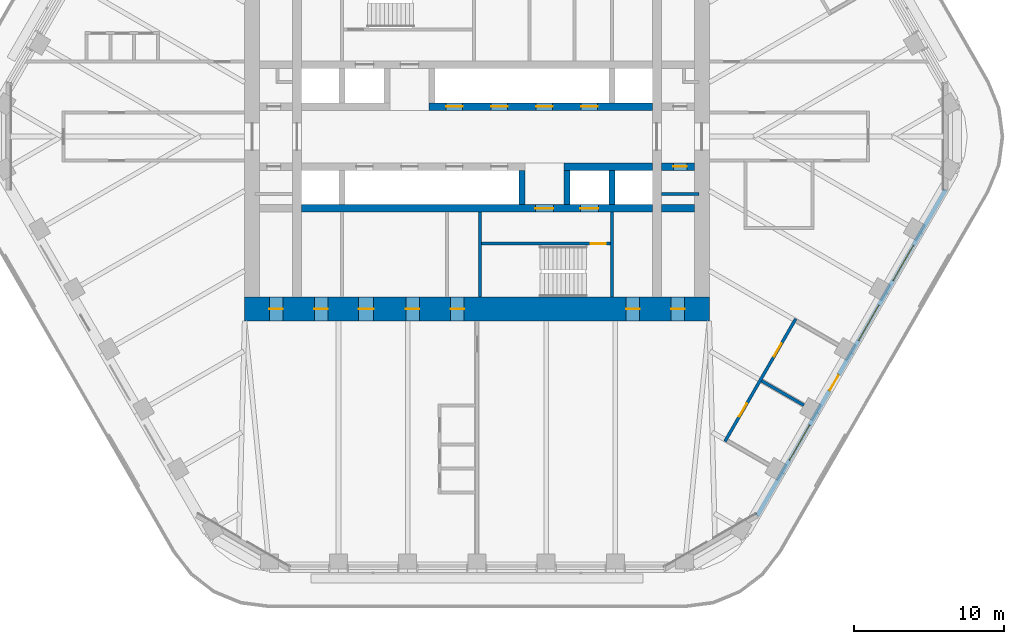
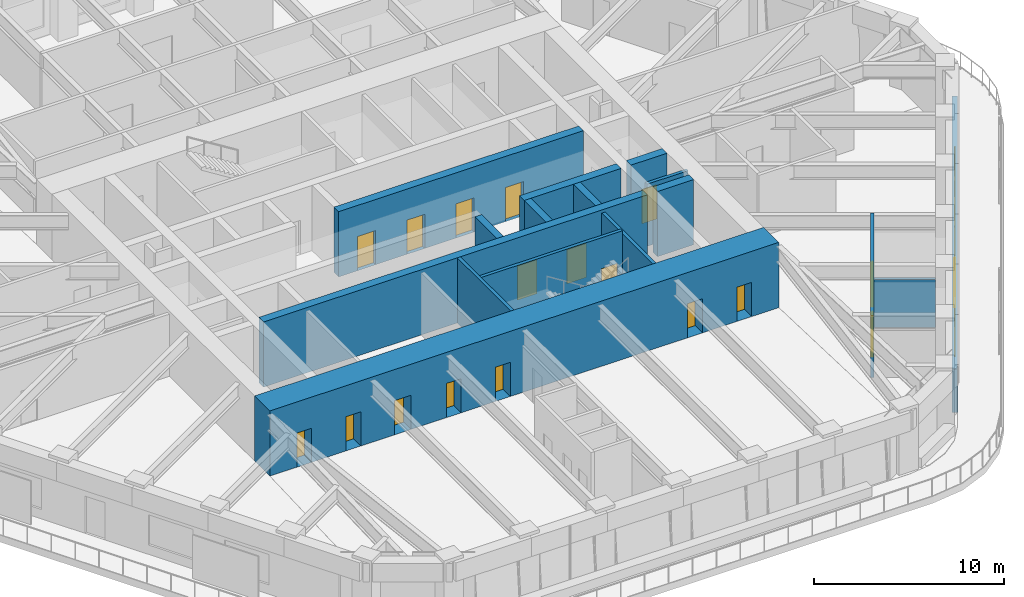
# One storey, part 15 of 20: 18 doors, 16 walls, 3 windows, 21 openings.
"""IFC4 building model written with IfcOpenShell, lengths in metres."""

from ifc_helpers import new_model, si_unit, direction, frame, frame_2d, origin, place, context, subcontext, project, spatial, rectangle, extrude, material, layer, layer_set, type_object, element, fill, save


model = new_model("IFC4")

# Units and contexts
model_context = context("Model", 3, precision=1e-05, world=origin(), true_north=direction((0.0, 1.0)))
body_context = subcontext(model_context, "Body", "Model", "MODEL_VIEW")
ifc_project = project(units=[si_unit("LENGTHUNIT", "METRE"), si_unit("AREAUNIT", "SQUARE_METRE"), si_unit("VOLUMEUNIT", "CUBIC_METRE"), si_unit("PLANEANGLEUNIT", "RADIAN"), si_unit("MASSUNIT", "GRAM", prefix="KILO")], contexts=[model_context])

# Site, building, storey
site_placement = place(None, origin())
site = spatial("IfcSite", under=ifc_project, at=site_placement, CompositionType="ELEMENT")
building_placement = place(site_placement, origin())
building = spatial("IfcBuilding", under=site, at=building_placement, Name="Tarfa Lantern Tower", CompositionType="ELEMENT")
storey_placement = place(building_placement, frame((0.0, 0.0, 270.10009765625)))
storey = spatial("IfcBuildingStorey", under=building, at=storey_placement, Name="L61", CompositionType="ELEMENT", Elevation=270.10009765625)

# Wall, openings, door, windows
ifc_material_1 = material(Name="Limestone cladding on blockwork", Category="masonry")
ifc_layer_1 = layer(ifc_material_1, 0.300048828125)
ifc_layer_set_1 = layer_set([ifc_layer_1], Name="EW1 STONE-CLAD WALL 300")
wall_type_1 = type_object("IfcWallType", Name="EW1 STONE-CLAD WALL 300", PredefinedType="SOLIDWALL", material=ifc_layer_set_1)
wall_1_placement = place(storey_placement, frame((18.70654296875, -25.299072265625, 0.0), z_axis=(0.0, 0.0, 1.0), x_axis=(0.500000442367, 0.866025148383, 0.0)))
wall_1 = element("IfcWall", 1, at=wall_1_placement, inside=storey, type_object=wall_type_1, Name="Stone wall SE", PredefinedType="SOLIDWALL", context=body_context, shape_type="SweptSolid", body=[
    extrude(rectangle(XDim=25.11279296875, YDim=0.300048828125, at=frame_2d((12.556396484375, 0.0))), origin(), (0.0, 0.0, 1.0), 2.7998046875),
])
opening_1_placement = place(wall_1_placement, frame((4.2783203125, 0.0, 0.60009765625)))
opening_1 = element("IfcOpeningElement", 2, at=opening_1_placement, cuts=wall_1, Name="Opening W14", PredefinedType="OPENING", context=body_context, shape_type="SweptSolid", body=[
    extrude(rectangle(XDim=2.699951171875, YDim=1.949951171875, at=frame_2d((1.35009765625, 0.97509765625))), frame((0.0, 0.159912109375, 0.0), z_axis=(0.0, -1.0, 0.0), x_axis=(1.0, 0.0, 0.0)), (0.0, 0.0, 1.0), 0.320068359375),
])
opening_2_placement = place(wall_1_placement, frame((9.64697265625, 0.0, 0.0)))
opening_2 = element("IfcOpeningElement", 3, at=opening_2_placement, cuts=wall_1, Name="Opening D51", PredefinedType="OPENING", context=body_context, shape_type="SweptSolid", body=[
    extrude(rectangle(XDim=1.199951171875, YDim=2.39990234375, at=frame_2d((0.60009765625, 1.199951171875))), frame((0.0, 0.159912109375, 0.0), z_axis=(0.0, -1.0, 0.0), x_axis=(1.0, 0.0, 0.0)), (0.0, 0.0, 1.0), 0.320068359375),
])
opening_3_placement = place(wall_1_placement, frame((13.515869140625, 0.0, 0.60009765625)))
opening_3 = element("IfcOpeningElement", 4, at=opening_3_placement, cuts=wall_1, Name="Opening W14", PredefinedType="OPENING", context=body_context, shape_type="SweptSolid", body=[
    extrude(rectangle(XDim=2.699951171875, YDim=1.949951171875, at=frame_2d((1.35009765625, 0.97509765625))), frame((0.0, 0.159912109375, 0.0), z_axis=(0.0, -1.0, 0.0), x_axis=(1.0, 0.0, 0.0)), (0.0, 0.0, 1.0), 0.320068359375),
])
opening_4_placement = place(wall_1_placement, frame((18.134521484375, 0.0, 0.60009765625)))
opening_4 = element("IfcOpeningElement", 5, at=opening_4_placement, cuts=wall_1, Name="Opening W14", PredefinedType="OPENING", context=body_context, shape_type="SweptSolid", body=[
    extrude(rectangle(XDim=2.699951171875, YDim=1.949951171875, at=frame_2d((1.35009765625, 0.97509765625))), frame((0.0, 0.159912109375, 0.0), z_axis=(0.0, -1.0, 0.0), x_axis=(1.0, 0.0, 0.0)), (0.0, 0.0, 1.0), 0.320068359375),
])
ifc_material_2 = material(Name="Aluminium framed glazed door", Category="aluminium")
door_type_1 = type_object("IfcDoorType", Name="BE3 BALCONY DOOR 1200x2400", OperationType="SINGLE_SWING_RIGHT", PredefinedType="DOOR", material=ifc_material_2)
door_1_placement = place(opening_2_placement, origin())
door_1 = element("IfcDoor", 6, at=door_1_placement, inside=storey, type_object=door_type_1, Name="Balcony door SE", OperationType="SINGLE_SWING_RIGHT", OverallHeight=2.39990234375, OverallWidth=1.199951171875, PredefinedType="DOOR", context=body_context, shape_type="SweptSolid", body=[
    extrude(rectangle(XDim=1.199951171875, YDim=2.39990234375, at=frame_2d((0.60009765625, 1.199951171875))), frame((0.0, 0.02490234375, 0.0), z_axis=(0.0, -1.0, 0.0), x_axis=(1.0, 0.0, 0.0)), (0.0, 0.0, 1.0), 0.050048828125),
])
fill(opening_2, door_1)
ifc_material_3 = material(Name="Aluminium frame, double glazed", Category="aluminium")
window_type = type_object("IfcWindowType", Name="W14 FULL-HEIGHT GLAZING 2700x1950", PartitioningType="SINGLE_PANEL", PredefinedType="WINDOW", material=ifc_material_3)
window_1_placement = place(opening_1_placement, origin())
window_1 = element("IfcWindow", 7, at=window_1_placement, inside=storey, type_object=window_type, Name="Window SE 2", OverallHeight=1.949951171875, OverallWidth=2.699951171875, PartitioningType="SINGLE_PANEL", PredefinedType="WINDOW", context=body_context, shape_type="SweptSolid", body=[
    extrude(rectangle(XDim=2.699951171875, YDim=1.949951171875, at=frame_2d((1.35009765625, 0.97509765625))), frame((0.0, 0.030029296875, 0.0), z_axis=(0.0, -1.0, 0.0), x_axis=(1.0, 0.0, 0.0)), (0.0, 0.0, 1.0), 0.06005859375),
])
fill(opening_1, window_1)
window_2_placement = place(opening_3_placement, origin())
window_2 = element("IfcWindow", 8, at=window_2_placement, inside=storey, type_object=window_type, Name="Window SE 4", OverallHeight=1.949951171875, OverallWidth=2.699951171875, PartitioningType="SINGLE_PANEL", PredefinedType="WINDOW", context=body_context, shape_type="SweptSolid", body=[
    extrude(rectangle(XDim=2.699951171875, YDim=1.949951171875, at=frame_2d((1.35009765625, 0.97509765625))), frame((0.0, 0.030029296875, 0.0), z_axis=(0.0, -1.0, 0.0), x_axis=(1.0, 0.0, 0.0)), (0.0, 0.0, 1.0), 0.06005859375),
])
fill(opening_3, window_2)
window_3_placement = place(opening_4_placement, origin())
window_3 = element("IfcWindow", 9, at=window_3_placement, inside=storey, type_object=window_type, Name="Window SE 5", OverallHeight=1.949951171875, OverallWidth=2.699951171875, PartitioningType="SINGLE_PANEL", PredefinedType="WINDOW", context=body_context, shape_type="SweptSolid", body=[
    extrude(rectangle(XDim=2.699951171875, YDim=1.949951171875, at=frame_2d((1.35009765625, 0.97509765625))), frame((0.0, 0.030029296875, 0.0), z_axis=(0.0, -1.0, 0.0), x_axis=(1.0, 0.0, 0.0)), (0.0, 0.0, 1.0), 0.06005859375),
])
fill(opening_4, window_3)

# Walls
ifc_material_4 = material(Name="Concrete blockwork", Category="masonry")
ifc_layer_2 = layer(ifc_material_4, 0.199951171875)
ifc_layer_set_2 = layer_set([ifc_layer_2], Name="IW1 BLOCKWORK PARTITION 200 EI 120")
wall_type_2 = type_object("IfcWallType", Name="IW1 BLOCKWORK PARTITION 200 EI 120", PredefinedType="PARTITIONING", material=ifc_layer_set_2)
wall_2_placement = place(storey_placement, frame((9.0, -5.050048828125, 0.0), z_axis=(0.0, 0.0, 1.0), x_axis=(0.0, -1.0, 0.0)))
element("IfcWall", 10, at=wall_2_placement, inside=storey, type_object=wall_type_2, Name="Core partition", PredefinedType="PARTITIONING", context=body_context, shape_type="SweptSolid", body=[
    extrude(rectangle(XDim=5.64990234375, YDim=0.199951171875, at=frame_2d((2.824951171875, 0.0))), origin(), (0.0, 0.0, 1.0), 4.0),
])
wall_3_placement = place(storey_placement, frame((14.800048828125, -3.85009765625, 0.0), z_axis=(0.0, 0.0, 1.0), x_axis=(-1.0, 0.0, 0.0)))
element("IfcWall", 11, at=wall_3_placement, inside=storey, type_object=wall_type_2, Name="Core partition", PredefinedType="PARTITIONING", context=body_context, shape_type="SweptSolid", body=[
    extrude(rectangle(XDim=2.5, YDim=0.199951171875, at=frame_2d((1.25, 0.0))), origin(), (0.0, 0.0, 1.0), 4.0),
])

# Wall, openings, doors
ifc_material_5 = material(Name="Gypsum board on steel studs", Category="steel")
ifc_layer_3 = layer(ifc_material_5, 0.2099609375)
ifc_layer_set_3 = layer_set([ifc_layer_3], Name="IW2 ACOUSTIC PARTITION 200")
wall_type_3 = type_object("IfcWallType", Name="IW2 ACOUSTIC PARTITION 200", PredefinedType="PARTITIONING", material=ifc_layer_set_3)
wall_4_placement = place(storey_placement, frame((16.548828125, -20.336669921875, 0.0), z_axis=(0.0, 0.0, 1.0), x_axis=(0.499989672313, 0.866031366395, 0.0)))
wall_4 = element("IfcWall", 12, at=wall_4_placement, inside=storey, type_object=wall_type_3, Name="Partition", PredefinedType="PARTITIONING", context=body_context, shape_type="SweptSolid", body=[
    extrude(rectangle(XDim=9.437744140625, YDim=0.199951171875, at=frame_2d((4.71875, 0.0))), origin(), (0.0, 0.0, 1.0), 4.0),
])
opening_5_placement = place(wall_4_placement, frame((1.909423828125, 0.0, 0.0)))
opening_5 = element("IfcOpeningElement", 13, at=opening_5_placement, cuts=wall_4, Name="Opening D31", PredefinedType="OPENING", context=body_context, shape_type="SweptSolid", body=[
    extrude(rectangle(XDim=1.0, YDim=2.199951171875, at=frame_2d((0.5, 1.10009765625))), frame((0.0, 0.10986328125, 0.0), z_axis=(0.0, -1.0, 0.0), x_axis=(1.0, 0.0, 0.0)), (0.0, 0.0, 1.0), 0.219970703125),
])
opening_6_placement = place(wall_4_placement, frame((6.5283203125, 0.0, 0.0)))
opening_6 = element("IfcOpeningElement", 14, at=opening_6_placement, cuts=wall_4, Name="Opening D32", PredefinedType="OPENING", context=body_context, shape_type="SweptSolid", body=[
    extrude(rectangle(XDim=1.0, YDim=2.199951171875, at=frame_2d((0.5, 1.10009765625))), frame((0.0, 0.10986328125, 0.0), z_axis=(0.0, -1.0, 0.0), x_axis=(1.0, 0.0, 0.0)), (0.0, 0.0, 1.0), 0.219970703125),
])
ifc_material_6 = material(Name="Timber door", Category="wood")
door_type_2 = type_object("IfcDoorType", Name="DR1 ROOM DOOR 1000x2200", OperationType="SINGLE_SWING_LEFT", PredefinedType="DOOR", material=ifc_material_6)
door_2_placement = place(opening_5_placement, frame((1.0, 0.0, 0.0), z_axis=(0.0, 0.0, 1.0), x_axis=(-1.0, 0.0, 0.0)))
door_2 = element("IfcDoor", 15, at=door_2_placement, inside=storey, type_object=door_type_2, Name="Office door", OperationType="SINGLE_SWING_LEFT", OverallHeight=2.199951171875, OverallWidth=1.0, PredefinedType="DOOR", context=body_context, shape_type="SweptSolid", body=[
    extrude(rectangle(XDim=1.0, YDim=2.199951171875, at=frame_2d((0.5, 1.10009765625))), frame((0.0, 0.02490234375, 0.0), z_axis=(0.0, -1.0, 0.0), x_axis=(1.0, 0.0, 0.0)), (0.0, 0.0, 1.0), 0.050048828125),
])
fill(opening_5, door_2)
door_3_placement = place(opening_6_placement, frame((1.0, 0.0, 0.0), z_axis=(0.0, 0.0, 1.0), x_axis=(-1.0, 0.0, 0.0)))
door_3 = element("IfcDoor", 16, at=door_3_placement, inside=storey, type_object=door_type_2, Name="Office door", OperationType="SINGLE_SWING_RIGHT", OverallHeight=2.199951171875, OverallWidth=1.0, PredefinedType="DOOR", context=body_context, shape_type="SweptSolid", body=[
    extrude(rectangle(XDim=1.0, YDim=2.199951171875, at=frame_2d((0.5, 1.10009765625))), frame((0.0, 0.02490234375, 0.0), z_axis=(0.0, -1.0, 0.0), x_axis=(1.0, 0.0, 0.0)), (0.0, 0.0, 1.0), 0.050048828125),
])
fill(opening_6, door_3)

# Walls
wall_5_placement = place(storey_placement, frame((18.994873046875, -16.300048828125, 0.0), z_axis=(0.0, 0.0, 1.0), x_axis=(0.866015446554, -0.500017246033, 0.0)))
element("IfcWall", 17, at=wall_5_placement, inside=storey, type_object=wall_type_3, Name="Partition", PredefinedType="PARTITIONING", context=body_context, shape_type="SweptSolid", body=[
    extrude(rectangle(XDim=3.25, YDim=0.199951171875, at=frame_2d((1.625, 0.0))), origin(), (0.0, 0.0, 1.0), 3.08154296875),
])
ifc_material_7 = material(Name="Concrete C80/95", Category="concrete")
ifc_layer_4 = layer(ifc_material_7, 0.199951171875)
ifc_layer_set_4 = layer_set([ifc_layer_4], Name="SW12 CORE WALL 200")
wall_type_4 = type_object("IfcWallType", Name="SW12 CORE WALL 200", PredefinedType="SHEAR", material=ifc_layer_set_4)
wall_6_placement = place(storey_placement, frame((0.199951171875, -5.050048828125, 0.0), z_axis=(0.0, 0.0, 1.0), x_axis=(0.0, -1.0, 0.0)))
element("IfcWall", 18, at=wall_6_placement, inside=storey, type_object=wall_type_4, Name="Core wall stair shaft S", PredefinedType="SHEAR", context=body_context, shape_type="SweptSolid", body=[
    extrude(rectangle(XDim=5.64990234375, YDim=0.199951171875, at=frame_2d((2.824951171875, 0.0))), origin(), (0.0, 0.0, 1.0), 4.199951171875),
])

# Wall, opening, door
wall_7_placement = place(storey_placement, frame((8.89990234375, -7.14990234375, 0.0), z_axis=(0.0, 0.0, 1.0), x_axis=(-1.0, 0.0, 0.0)))
wall_7 = element("IfcWall", 19, at=wall_7_placement, inside=storey, type_object=wall_type_4, Name="Core wall stair partition S", PredefinedType="SHEAR", context=body_context, shape_type="SweptSolid", body=[
    extrude(rectangle(XDim=8.599853515625, YDim=0.199951171875, at=frame_2d((4.2998046875, 0.0))), origin(), (0.0, 0.0, 1.0), 4.199951171875),
])
opening_7_placement = place(wall_7_placement, frame((0.300048828125, 0.0, 0.0)))
opening_7 = element("IfcOpeningElement", 20, at=opening_7_placement, cuts=wall_7, Name="Opening D24", PredefinedType="OPENING", context=body_context, shape_type="SweptSolid", body=[
    extrude(rectangle(XDim=1.0, YDim=2.199951171875, at=frame_2d((0.5, 1.10009765625))), frame((0.0, 0.10986328125, 0.0), z_axis=(0.0, -1.0, 0.0), x_axis=(1.0, 0.0, 0.0)), (0.0, 0.0, 1.0), 0.219970703125),
])
ifc_material_8 = material(Name="Steel fire door", Category="steel")
door_type_3 = type_object("IfcDoorType", Name="DF2 STAIR DOOR 1000x2200", OperationType="SINGLE_SWING_LEFT", PredefinedType="DOOR", material=ifc_material_8)
door_4_placement = place(opening_7_placement, origin())
door_4 = element("IfcDoor", 21, at=door_4_placement, inside=storey, type_object=door_type_3, Name="Stair door", OperationType="SINGLE_SWING_RIGHT", OverallHeight=2.199951171875, OverallWidth=1.0, PredefinedType="DOOR", context=body_context, shape_type="SweptSolid", body=[
    extrude(rectangle(XDim=1.0, YDim=2.199951171875, at=frame_2d((0.5, 1.10009765625))), frame((0.0, 0.02490234375, 0.0), z_axis=(0.0, -1.0, 0.0), x_axis=(1.0, 0.0, 0.0)), (0.0, 0.0, 1.0), 0.050048828125),
])
fill(opening_7, door_4)

# Wall, openings, doors
ifc_layer_5 = layer(ifc_material_7, 0.5)
ifc_layer_set_5 = layer_set([ifc_layer_5], Name="SW5 CORE WALL 500")
wall_type_5 = type_object("IfcWallType", Name="SW5 CORE WALL 500", PredefinedType="SHEAR", material=ifc_layer_set_5)
wall_8_placement = place(storey_placement, frame((-3.199951171875, 2.0, 0.0), z_axis=(0.0, 0.0, 1.0), x_axis=(1.0, 0.0, 0.0)))
wall_8 = element("IfcWall", 22, at=wall_8_placement, inside=storey, type_object=wall_type_5, Name="Core wall lobby east N", PredefinedType="SHEAR", context=body_context, shape_type="SweptSolid", body=[
    extrude(rectangle(XDim=14.89990234375, YDim=0.5, at=frame_2d((7.449951171875, 0.0))), origin(), (0.0, 0.0, 1.0), 4.199951171875),
])
opening_8_placement = place(wall_8_placement, frame((1.14990234375, 0.0, 0.0)))
opening_8 = element("IfcOpeningElement", 23, at=opening_8_placement, cuts=wall_8, Name="Opening LD03", PredefinedType="OPENING", context=body_context, shape_type="SweptSolid", body=[
    extrude(rectangle(XDim=1.10009765625, YDim=2.199951171875, at=frame_2d((0.550048828125, 1.10009765625))), frame((0.0, 0.260009765625, 0.0), z_axis=(0.0, -1.0, 0.0), x_axis=(1.0, 0.0, 0.0)), (0.0, 0.0, 1.0), 0.52001953125),
])
opening_9_placement = place(wall_8_placement, frame((4.14990234375, 0.0, 0.0)))
opening_9 = element("IfcOpeningElement", 24, at=opening_9_placement, cuts=wall_8, Name="Opening LD04", PredefinedType="OPENING", context=body_context, shape_type="SweptSolid", body=[
    extrude(rectangle(XDim=1.10009765625, YDim=2.199951171875, at=frame_2d((0.550048828125, 1.10009765625))), frame((0.0, 0.260009765625, 0.0), z_axis=(0.0, -1.0, 0.0), x_axis=(1.0, 0.0, 0.0)), (0.0, 0.0, 1.0), 0.52001953125),
])
opening_10_placement = place(wall_8_placement, frame((7.14990234375, 0.0, 0.0)))
opening_10 = element("IfcOpeningElement", 25, at=opening_10_placement, cuts=wall_8, Name="Opening LD05", PredefinedType="OPENING", context=body_context, shape_type="SweptSolid", body=[
    extrude(rectangle(XDim=1.10009765625, YDim=2.199951171875, at=frame_2d((0.550048828125, 1.10009765625))), frame((0.0, 0.260009765625, 0.0), z_axis=(0.0, -1.0, 0.0), x_axis=(1.0, 0.0, 0.0)), (0.0, 0.0, 1.0), 0.52001953125),
])
opening_11_placement = place(wall_8_placement, frame((10.14990234375, 0.0, 0.0)))
opening_11 = element("IfcOpeningElement", 26, at=opening_11_placement, cuts=wall_8, Name="Opening LD06", PredefinedType="OPENING", context=body_context, shape_type="SweptSolid", body=[
    extrude(rectangle(XDim=1.10009765625, YDim=2.199951171875, at=frame_2d((0.550048828125, 1.10009765625))), frame((0.0, 0.260009765625, 0.0), z_axis=(0.0, -1.0, 0.0), x_axis=(1.0, 0.0, 0.0)), (0.0, 0.0, 1.0), 0.52001953125),
])
ifc_material_9 = material(Name="Stainless steel lift door", Category="steel")
door_type_4 = type_object("IfcDoorType", Name="LD2 LIFT LANDING DOOR 1100x2200", OperationType="SLIDING_TO_LEFT", PredefinedType="DOOR", material=ifc_material_9)
door_5_placement = place(opening_8_placement, frame((1.10009765625, 0.0, 0.0), z_axis=(0.0, 0.0, 1.0), x_axis=(-1.0, 0.0, 0.0)))
door_5 = element("IfcDoor", 27, at=door_5_placement, inside=storey, type_object=door_type_4, Name="Landing door PC1", OperationType="SLIDING_TO_LEFT", OverallHeight=2.199951171875, OverallWidth=1.10009765625, PredefinedType="DOOR", context=body_context, shape_type="SweptSolid", body=[
    extrude(rectangle(XDim=1.10009765625, YDim=2.199951171875, at=frame_2d((0.550048828125, 1.10009765625))), frame((0.0, 0.02490234375, 0.0), z_axis=(0.0, -1.0, 0.0), x_axis=(1.0, 0.0, 0.0)), (0.0, 0.0, 1.0), 0.050048828125),
])
fill(opening_8, door_5)
door_6_placement = place(opening_9_placement, frame((1.10009765625, 0.0, 0.0), z_axis=(0.0, 0.0, 1.0), x_axis=(-1.0, 0.0, 0.0)))
door_6 = element("IfcDoor", 28, at=door_6_placement, inside=storey, type_object=door_type_4, Name="Landing door PC2", OperationType="SLIDING_TO_LEFT", OverallHeight=2.199951171875, OverallWidth=1.10009765625, PredefinedType="DOOR", context=body_context, shape_type="SweptSolid", body=[
    extrude(rectangle(XDim=1.10009765625, YDim=2.199951171875, at=frame_2d((0.550048828125, 1.10009765625))), frame((0.0, 0.02490234375, 0.0), z_axis=(0.0, -1.0, 0.0), x_axis=(1.0, 0.0, 0.0)), (0.0, 0.0, 1.0), 0.050048828125),
])
fill(opening_9, door_6)
door_7_placement = place(opening_10_placement, frame((1.10009765625, 0.0, 0.0), z_axis=(0.0, 0.0, 1.0), x_axis=(-1.0, 0.0, 0.0)))
door_7 = element("IfcDoor", 29, at=door_7_placement, inside=storey, type_object=door_type_4, Name="Landing door PC3", OperationType="SLIDING_TO_LEFT", OverallHeight=2.199951171875, OverallWidth=1.10009765625, PredefinedType="DOOR", context=body_context, shape_type="SweptSolid", body=[
    extrude(rectangle(XDim=1.10009765625, YDim=2.199951171875, at=frame_2d((0.550048828125, 1.10009765625))), frame((0.0, 0.02490234375, 0.0), z_axis=(0.0, -1.0, 0.0), x_axis=(1.0, 0.0, 0.0)), (0.0, 0.0, 1.0), 0.050048828125),
])
fill(opening_10, door_7)
door_8_placement = place(opening_11_placement, frame((1.10009765625, 0.0, 0.0), z_axis=(0.0, 0.0, 1.0), x_axis=(-1.0, 0.0, 0.0)))
door_8 = element("IfcDoor", 30, at=door_8_placement, inside=storey, type_object=door_type_4, Name="Landing door PC4", OperationType="SLIDING_TO_LEFT", OverallHeight=2.199951171875, OverallWidth=1.10009765625, PredefinedType="DOOR", context=body_context, shape_type="SweptSolid", body=[
    extrude(rectangle(XDim=1.10009765625, YDim=2.199951171875, at=frame_2d((0.550048828125, 1.10009765625))), frame((0.0, 0.02490234375, 0.0), z_axis=(0.0, -1.0, 0.0), x_axis=(1.0, 0.0, 0.0)), (0.0, 0.0, 1.0), 0.050048828125),
])
fill(opening_11, door_8)

# Wall, opening, door
wall_9_placement = place(storey_placement, frame((14.5, -2.0, 0.0), z_axis=(0.0, 0.0, 1.0), x_axis=(-1.0, 0.0, 0.0)))
wall_9 = element("IfcWall", 31, at=wall_9_placement, inside=storey, type_object=wall_type_5, Name="Core wall lobby west S", PredefinedType="SHEAR", context=body_context, shape_type="SweptSolid", body=[
    extrude(rectangle(XDim=2.199951171875, YDim=0.5, at=frame_2d((1.10009765625, 0.0))), origin(), (0.0, 0.0, 1.0), 4.199951171875),
])
opening_12_placement = place(wall_9_placement, frame((0.5, 0.0, 0.0)))
opening_12 = element("IfcOpeningElement", 32, at=opening_12_placement, cuts=wall_9, Name="Opening D16", PredefinedType="OPENING", context=body_context, shape_type="SweptSolid", body=[
    extrude(rectangle(XDim=0.89990234375, YDim=2.199951171875, at=frame_2d((0.449951171875, 1.10009765625))), frame((0.0, 0.260009765625, 0.0), z_axis=(0.0, -1.0, 0.0), x_axis=(1.0, 0.0, 0.0)), (0.0, 0.0, 1.0), 0.52001953125),
])
door_type_5 = type_object("IfcDoorType", Name="DF6 SERVICE ROOM DOOR 900x2200", OperationType="SINGLE_SWING_LEFT", PredefinedType="DOOR", material=ifc_material_8)
door_9_placement = place(opening_12_placement, origin())
door_9 = element("IfcDoor", 33, at=door_9_placement, inside=storey, type_object=door_type_5, Name="Service room door", OperationType="SINGLE_SWING_RIGHT", OverallHeight=2.199951171875, OverallWidth=0.89990234375, PredefinedType="DOOR", context=body_context, shape_type="SweptSolid", body=[
    extrude(rectangle(XDim=0.89990234375, YDim=2.199951171875, at=frame_2d((0.449951171875, 1.10009765625))), frame((0.0, 0.02490234375, 0.0), z_axis=(0.0, -1.0, 0.0), x_axis=(1.0, 0.0, 0.0)), (0.0, 0.0, 1.0), 0.050048828125),
])
fill(opening_12, door_9)

# Walls
wall_10_placement = place(storey_placement, frame((11.699951171875, -2.0, 0.0), z_axis=(0.0, 0.0, 1.0), x_axis=(-1.0, 0.0, 0.0)))
element("IfcWall", 34, at=wall_10_placement, inside=storey, type_object=wall_type_5, Name="Core wall lobby west S", PredefinedType="SHEAR", context=body_context, shape_type="SweptSolid", body=[
    extrude(rectangle(XDim=5.89990234375, YDim=0.5, at=frame_2d((2.949951171875, 0.0))), origin(), (0.0, 0.0, 1.0), 4.199951171875),
])
wall_11_placement = place(storey_placement, frame((14.5, -4.800048828125, 0.0), z_axis=(0.0, 0.0, 1.0), x_axis=(-1.0, 0.0, 0.0)))
element("IfcWall", 35, at=wall_11_placement, inside=storey, type_object=wall_type_5, Name="Core wall rear S", PredefinedType="SHEAR", context=body_context, shape_type="SweptSolid", body=[
    extrude(rectangle(XDim=2.199951171875, YDim=0.5, at=frame_2d((1.10009765625, 0.0))), origin(), (0.0, 0.0, 1.0), 4.199951171875),
])

# Wall, openings, doors
wall_12_placement = place(storey_placement, frame((11.699951171875, -4.800048828125, 0.0), z_axis=(0.0, 0.0, 1.0), x_axis=(-1.0, 0.0, 0.0)))
wall_12 = element("IfcWall", 36, at=wall_12_placement, inside=storey, type_object=wall_type_5, Name="Core wall rear S", PredefinedType="SHEAR", context=body_context, shape_type="SweptSolid", body=[
    extrude(rectangle(XDim=23.39990234375, YDim=0.5, at=frame_2d((11.699951171875, 0.0))), origin(), (0.0, 0.0, 1.0), 4.199951171875),
])
opening_13_placement = place(wall_12_placement, frame((6.60009765625, 0.0, 0.0)))
opening_13 = element("IfcOpeningElement", 37, at=opening_13_placement, cuts=wall_12, Name="Opening D10", PredefinedType="OPENING", context=body_context, shape_type="SweptSolid", body=[
    extrude(rectangle(XDim=1.199951171875, YDim=2.199951171875, at=frame_2d((0.60009765625, 1.10009765625))), frame((0.0, 0.260009765625, 0.0), z_axis=(0.0, -1.0, 0.0), x_axis=(1.0, 0.0, 0.0)), (0.0, 0.0, 1.0), 0.52001953125),
])
opening_14_placement = place(wall_12_placement, frame((3.60009765625, 0.0, 0.0)))
opening_14 = element("IfcOpeningElement", 38, at=opening_14_placement, cuts=wall_12, Name="Opening LD02", PredefinedType="OPENING", context=body_context, shape_type="SweptSolid", body=[
    extrude(rectangle(XDim=1.199951171875, YDim=2.199951171875, at=frame_2d((0.60009765625, 1.10009765625))), frame((0.0, 0.260009765625, 0.0), z_axis=(0.0, -1.0, 0.0), x_axis=(1.0, 0.0, 0.0)), (0.0, 0.0, 1.0), 0.52001953125),
])
door_type_6 = type_object("IfcDoorType", Name="DF1 FIREFIGHTING LOBBY DOOR 1200x2200", OperationType="SINGLE_SWING_LEFT", PredefinedType="DOOR", material=ifc_material_8)
door_10_placement = place(opening_13_placement, origin())
door_10 = element("IfcDoor", 39, at=door_10_placement, inside=storey, type_object=door_type_6, Name="Firefighting lobby door", OperationType="SINGLE_SWING_LEFT", OverallHeight=2.199951171875, OverallWidth=1.199951171875, PredefinedType="DOOR", context=body_context, shape_type="SweptSolid", body=[
    extrude(rectangle(XDim=1.199951171875, YDim=2.199951171875, at=frame_2d((0.60009765625, 1.10009765625))), frame((0.0, 0.02490234375, 0.0), z_axis=(0.0, -1.0, 0.0), x_axis=(1.0, 0.0, 0.0)), (0.0, 0.0, 1.0), 0.050048828125),
])
fill(opening_13, door_10)
door_type_7 = type_object("IfcDoorType", Name="LD1 LIFT LANDING DOOR 1200x2200", OperationType="SLIDING_TO_LEFT", PredefinedType="DOOR", material=ifc_material_9)
door_11_placement = place(opening_14_placement, origin())
door_11 = element("IfcDoor", 40, at=door_11_placement, inside=storey, type_object=door_type_7, Name="Landing door FL2", OperationType="SLIDING_TO_LEFT", OverallHeight=2.199951171875, OverallWidth=1.199951171875, PredefinedType="DOOR", context=body_context, shape_type="SweptSolid", body=[
    extrude(rectangle(XDim=1.199951171875, YDim=2.199951171875, at=frame_2d((0.60009765625, 1.10009765625))), frame((0.0, 0.02490234375, 0.0), z_axis=(0.0, -1.0, 0.0), x_axis=(1.0, 0.0, 0.0)), (0.0, 0.0, 1.0), 0.050048828125),
])
fill(opening_14, door_11)

# Walls
ifc_layer_6 = layer(ifc_material_7, 0.39990234375)
ifc_layer_set_6 = layer_set([ifc_layer_6], Name="SW6 CORE WALL 400")
wall_type_6 = type_object("IfcWallType", Name="SW6 CORE WALL 400", PredefinedType="SHEAR", material=ifc_layer_set_6)
for number, where, z_axis, x_axis, name in (
    (41, (9.0, -2.25, 0.0), (0.0, 0.0, 1.0), (0.0, -1.0, 0.0), "Core wall divider S"),
    (42, (6.0, -2.25, 0.0), (0.0, 0.0, 1.0), (0.0, -1.0, 0.0), "Core wall divider S"),
    (43, (3.0, -2.25, 0.0), (0.0, 0.0, 1.0), (0.0, -1.0, 0.0), "Core wall divider S"),
):
    element("IfcWall", number, at=place(storey_placement, frame(where, z_axis=z_axis, x_axis=x_axis)), inside=storey, type_object=wall_type_6, Name=name, PredefinedType="SHEAR", context=body_context, shape_type="SweptSolid", body=[
        extrude(rectangle(XDim=2.300048828125, YDim=0.39990234375, at=frame_2d((1.14990234375, 0.0))), origin(), (0.0, 0.0, 1.0), 4.199951171875),
    ])

# Wall, openings, doors
ifc_layer_7 = layer(ifc_material_7, 1.60009765625)
ifc_layer_set_7 = layer_set([ifc_layer_7], Name="SW7 CORE WALL 1600")
wall_type_7 = type_object("IfcWallType", Name="SW7 CORE WALL 1600", PredefinedType="SHEAR", material=ifc_layer_set_7)
wall_13_placement = place(storey_placement, frame((15.5, -11.5, 0.0), z_axis=(0.0, 0.0, 1.0), x_axis=(-1.0, 0.0, 0.0)))
wall_13 = element("IfcWall", 44, at=wall_13_placement, inside=storey, type_object=wall_type_7, Name="Core wall S", PredefinedType="SHEAR", context=body_context, shape_type="SweptSolid", body=[
    extrude(rectangle(XDim=31.0, YDim=1.60009765625, at=frame_2d((15.5, 0.0))), origin(), (0.0, 0.0, 1.0), 4.199951171875),
])
opening_15_placement = place(wall_13_placement, frame((16.35009765625, 0.0, 0.0)))
opening_15 = element("IfcOpeningElement", 45, at=opening_15_placement, cuts=wall_13, Name="Opening D18", PredefinedType="OPENING", context=body_context, shape_type="SweptSolid", body=[
    extrude(rectangle(XDim=0.89990234375, YDim=2.199951171875, at=frame_2d((0.449951171875, 1.10009765625))), frame((0.0, 0.81005859375, 0.0), z_axis=(0.0, -1.0, 0.0), x_axis=(1.0, 0.0, 0.0)), (0.0, 0.0, 1.0), 1.6201171875),
])
opening_16_placement = place(wall_13_placement, frame((19.35009765625, 0.0, 0.0)))
opening_16 = element("IfcOpeningElement", 46, at=opening_16_placement, cuts=wall_13, Name="Opening D20", PredefinedType="OPENING", context=body_context, shape_type="SweptSolid", body=[
    extrude(rectangle(XDim=0.89990234375, YDim=2.199951171875, at=frame_2d((0.449951171875, 1.10009765625))), frame((0.0, 0.81005859375, 0.0), z_axis=(0.0, -1.0, 0.0), x_axis=(1.0, 0.0, 0.0)), (0.0, 0.0, 1.0), 1.6201171875),
])
opening_17_placement = place(wall_13_placement, frame((22.39990234375, 0.0, 0.0)))
opening_17 = element("IfcOpeningElement", 47, at=opening_17_placement, cuts=wall_13, Name="Opening D22", PredefinedType="OPENING", context=body_context, shape_type="SweptSolid", body=[
    extrude(rectangle(XDim=1.0, YDim=2.199951171875, at=frame_2d((0.5, 1.10009765625))), frame((0.0, 0.81005859375, 0.0), z_axis=(0.0, -1.0, 0.0), x_axis=(1.0, 0.0, 0.0)), (0.0, 0.0, 1.0), 1.6201171875),
])
opening_18_placement = place(wall_13_placement, frame((1.64990234375, 0.0, 0.0)))
opening_18 = element("IfcOpeningElement", 48, at=opening_18_placement, cuts=wall_13, Name="Opening D08", PredefinedType="OPENING", context=body_context, shape_type="SweptSolid", body=[
    extrude(rectangle(XDim=0.89990234375, YDim=2.199951171875, at=frame_2d((0.449951171875, 1.10009765625))), frame((0.0, 0.81005859375, 0.0), z_axis=(0.0, -1.0, 0.0), x_axis=(1.0, 0.0, 0.0)), (0.0, 0.0, 1.0), 1.6201171875),
])
opening_19_placement = place(wall_13_placement, frame((4.64990234375, 0.0, 0.0)))
opening_19 = element("IfcOpeningElement", 49, at=opening_19_placement, cuts=wall_13, Name="Opening D06", PredefinedType="OPENING", context=body_context, shape_type="SweptSolid", body=[
    extrude(rectangle(XDim=0.89990234375, YDim=2.199951171875, at=frame_2d((0.449951171875, 1.10009765625))), frame((0.0, 0.81005859375, 0.0), z_axis=(0.0, -1.0, 0.0), x_axis=(1.0, 0.0, 0.0)), (0.0, 0.0, 1.0), 1.6201171875),
])
opening_20_placement = place(wall_13_placement, frame((25.449951171875, 0.0, 0.0)))
opening_20 = element("IfcOpeningElement", 50, at=opening_20_placement, cuts=wall_13, Name="Opening D04", PredefinedType="OPENING", context=body_context, shape_type="SweptSolid", body=[
    extrude(rectangle(XDim=0.89990234375, YDim=2.199951171875, at=frame_2d((0.449951171875, 1.10009765625))), frame((0.0, 0.81005859375, 0.0), z_axis=(0.0, -1.0, 0.0), x_axis=(1.0, 0.0, 0.0)), (0.0, 0.0, 1.0), 1.6201171875),
])
opening_21_placement = place(wall_13_placement, frame((28.449951171875, 0.0, 0.0)))
opening_21 = element("IfcOpeningElement", 51, at=opening_21_placement, cuts=wall_13, Name="Opening D02", PredefinedType="OPENING", context=body_context, shape_type="SweptSolid", body=[
    extrude(rectangle(XDim=0.89990234375, YDim=2.199951171875, at=frame_2d((0.449951171875, 1.10009765625))), frame((0.0, 0.81005859375, 0.0), z_axis=(0.0, -1.0, 0.0), x_axis=(1.0, 0.0, 0.0)), (0.0, 0.0, 1.0), 1.6201171875),
])
door_type_8 = type_object("IfcDoorType", Name="DF3 CORE ROOM DOOR 900x2200", OperationType="SINGLE_SWING_LEFT", PredefinedType="DOOR", material=ifc_material_8)
door_12_placement = place(opening_15_placement, frame((0.89990234375, 0.0, 0.0), z_axis=(0.0, 0.0, 1.0), x_axis=(-1.0, 0.0, 0.0)))
door_12 = element("IfcDoor", 52, at=door_12_placement, inside=storey, type_object=door_type_8, Name="Core door", OperationType="SINGLE_SWING_RIGHT", OverallHeight=2.199951171875, OverallWidth=0.89990234375, PredefinedType="DOOR", context=body_context, shape_type="SweptSolid", body=[
    extrude(rectangle(XDim=0.89990234375, YDim=2.199951171875, at=frame_2d((0.449951171875, 1.10009765625))), frame((0.0, 0.02490234375, 0.0), z_axis=(0.0, -1.0, 0.0), x_axis=(1.0, 0.0, 0.0)), (0.0, 0.0, 1.0), 0.050048828125),
])
fill(opening_15, door_12)
door_13_placement = place(opening_16_placement, frame((0.89990234375, 0.0, 0.0), z_axis=(0.0, 0.0, 1.0), x_axis=(-1.0, 0.0, 0.0)))
door_13 = element("IfcDoor", 53, at=door_13_placement, inside=storey, type_object=door_type_8, Name="Core door", OperationType="SINGLE_SWING_LEFT", OverallHeight=2.199951171875, OverallWidth=0.89990234375, PredefinedType="DOOR", context=body_context, shape_type="SweptSolid", body=[
    extrude(rectangle(XDim=0.89990234375, YDim=2.199951171875, at=frame_2d((0.449951171875, 1.10009765625))), frame((0.0, 0.02490234375, 0.0), z_axis=(0.0, -1.0, 0.0), x_axis=(1.0, 0.0, 0.0)), (0.0, 0.0, 1.0), 0.050048828125),
])
fill(opening_16, door_13)
door_type_9 = type_object("IfcDoorType", Name="DF4 CORE ROOM DOOR 1000x2200", OperationType="SINGLE_SWING_LEFT", PredefinedType="DOOR", material=ifc_material_8)
door_14_placement = place(opening_17_placement, frame((1.0, 0.0, 0.0), z_axis=(0.0, 0.0, 1.0), x_axis=(-1.0, 0.0, 0.0)))
door_14 = element("IfcDoor", 54, at=door_14_placement, inside=storey, type_object=door_type_9, Name="Core door", OperationType="SINGLE_SWING_RIGHT", OverallHeight=2.199951171875, OverallWidth=1.0, PredefinedType="DOOR", context=body_context, shape_type="SweptSolid", body=[
    extrude(rectangle(XDim=1.0, YDim=2.199951171875, at=frame_2d((0.5, 1.10009765625))), frame((0.0, 0.02490234375, 0.0), z_axis=(0.0, -1.0, 0.0), x_axis=(1.0, 0.0, 0.0)), (0.0, 0.0, 1.0), 0.050048828125),
])
fill(opening_17, door_14)
door_type_10 = type_object("IfcDoorType", Name="DF5 RISER DOOR 900x2200", OperationType="SINGLE_SWING_LEFT", PredefinedType="DOOR", material=ifc_material_8)
door_15_placement = place(opening_18_placement, frame((0.89990234375, 0.0, 0.0), z_axis=(0.0, 0.0, 1.0), x_axis=(-1.0, 0.0, 0.0)))
door_15 = element("IfcDoor", 55, at=door_15_placement, inside=storey, type_object=door_type_10, Name="Riser door", OperationType="SINGLE_SWING_LEFT", OverallHeight=2.199951171875, OverallWidth=0.89990234375, PredefinedType="DOOR", context=body_context, shape_type="SweptSolid", body=[
    extrude(rectangle(XDim=0.89990234375, YDim=2.199951171875, at=frame_2d((0.449951171875, 1.10009765625))), frame((0.0, 0.02490234375, 0.0), z_axis=(0.0, -1.0, 0.0), x_axis=(1.0, 0.0, 0.0)), (0.0, 0.0, 1.0), 0.050048828125),
])
fill(opening_18, door_15)
door_16_placement = place(opening_19_placement, frame((0.89990234375, 0.0, 0.0), z_axis=(0.0, 0.0, 1.0), x_axis=(-1.0, 0.0, 0.0)))
door_16 = element("IfcDoor", 56, at=door_16_placement, inside=storey, type_object=door_type_10, Name="Riser door", OperationType="SINGLE_SWING_LEFT", OverallHeight=2.199951171875, OverallWidth=0.89990234375, PredefinedType="DOOR", context=body_context, shape_type="SweptSolid", body=[
    extrude(rectangle(XDim=0.89990234375, YDim=2.199951171875, at=frame_2d((0.449951171875, 1.10009765625))), frame((0.0, 0.02490234375, 0.0), z_axis=(0.0, -1.0, 0.0), x_axis=(1.0, 0.0, 0.0)), (0.0, 0.0, 1.0), 0.050048828125),
])
fill(opening_19, door_16)
door_17_placement = place(opening_20_placement, frame((0.89990234375, 0.0, 0.0), z_axis=(0.0, 0.0, 1.0), x_axis=(-1.0, 0.0, 0.0)))
door_17 = element("IfcDoor", 57, at=door_17_placement, inside=storey, type_object=door_type_10, Name="Riser door", OperationType="SINGLE_SWING_RIGHT", OverallHeight=2.199951171875, OverallWidth=0.89990234375, PredefinedType="DOOR", context=body_context, shape_type="SweptSolid", body=[
    extrude(rectangle(XDim=0.89990234375, YDim=2.199951171875, at=frame_2d((0.449951171875, 1.10009765625))), frame((0.0, 0.02490234375, 0.0), z_axis=(0.0, -1.0, 0.0), x_axis=(1.0, 0.0, 0.0)), (0.0, 0.0, 1.0), 0.050048828125),
])
fill(opening_20, door_17)
door_18_placement = place(opening_21_placement, frame((0.89990234375, 0.0, 0.0), z_axis=(0.0, 0.0, 1.0), x_axis=(-1.0, 0.0, 0.0)))
door_18 = element("IfcDoor", 58, at=door_18_placement, inside=storey, type_object=door_type_10, Name="Riser door", OperationType="SINGLE_SWING_RIGHT", OverallHeight=2.199951171875, OverallWidth=0.89990234375, PredefinedType="DOOR", context=body_context, shape_type="SweptSolid", body=[
    extrude(rectangle(XDim=0.89990234375, YDim=2.199951171875, at=frame_2d((0.449951171875, 1.10009765625))), frame((0.0, 0.02490234375, 0.0), z_axis=(0.0, -1.0, 0.0), x_axis=(1.0, 0.0, 0.0)), (0.0, 0.0, 1.0), 0.050048828125),
])
fill(opening_21, door_18)

save(model, "model.ifc")
